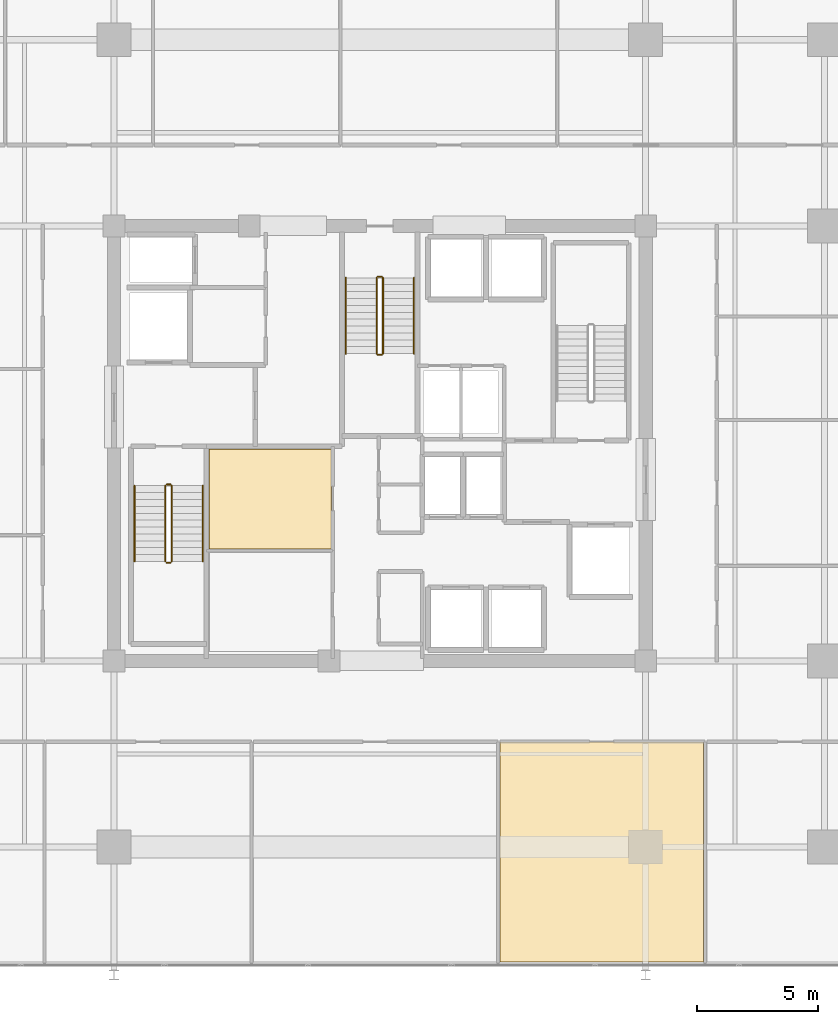
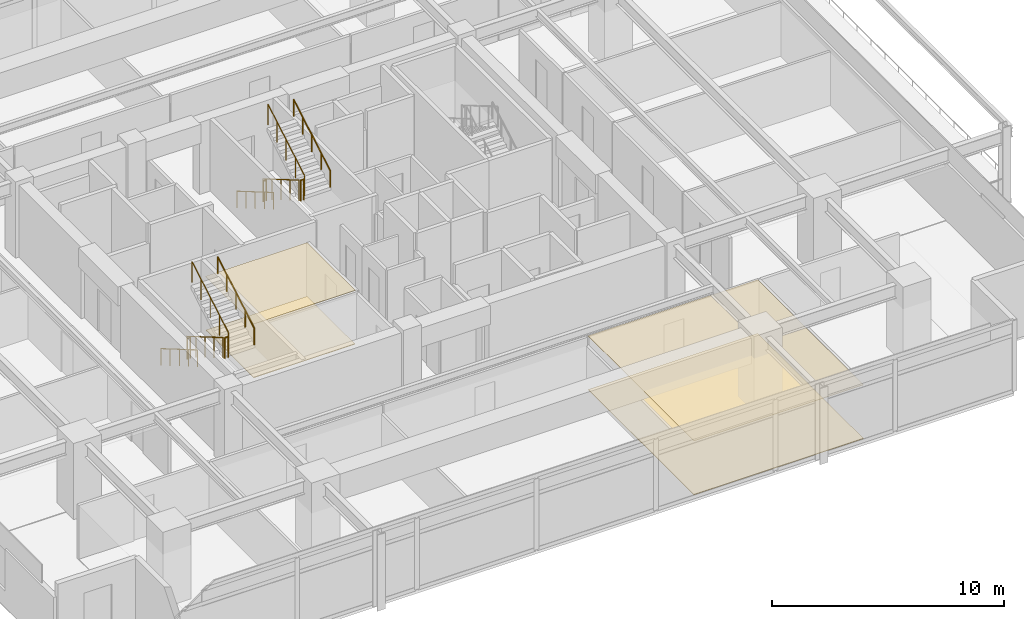
# One storey, part 19 of 21: 12 railings, 4 coverings.
"""IFC4 building model written with IfcOpenShell, lengths in metres."""

from ifc_helpers import new_model, si_unit, direction, frame, origin, origin_2d, place, context, subcontext, project, spatial, polyline, circle, outline, extrude, material, layer, layer_set, type_object, element, save


model = new_model("IFC4")

# Units and contexts
model_context = context("Model", 3, precision=1e-05, world=origin(), true_north=direction((0.0, 1.0)))
body_context = subcontext(model_context, "Body", "Model", "MODEL_VIEW")
ifc_project = project(units=[si_unit("LENGTHUNIT", "METRE"), si_unit("AREAUNIT", "SQUARE_METRE"), si_unit("VOLUMEUNIT", "CUBIC_METRE"), si_unit("PLANEANGLEUNIT", "RADIAN"), si_unit("MASSUNIT", "GRAM", prefix="KILO")], contexts=[model_context])

# Site, building, storey
site_placement = place(None, origin())
site = spatial("IfcSite", under=ifc_project, at=site_placement, CompositionType="ELEMENT")
building_placement = place(site_placement, origin())
building = spatial("IfcBuilding", under=site, at=building_placement, Name="Kovane Verandah Tower", CompositionType="ELEMENT")
storey_placement = place(building_placement, frame((0.0, 0.0, 205.199951171875)))
storey = spatial("IfcBuildingStorey", under=building, at=storey_placement, Name="L47", CompositionType="ELEMENT", Elevation=205.199951171875)

# Coverings
ifc_material_1 = material(Name="Perforated Acoustic Mineral-Fibre Ceiling Tile", Category="gypsum")
ifc_layer_1 = layer(ifc_material_1, 0.02490234375)
ifc_layer_set_1 = layer_set([ifc_layer_1], Name="Perforated Acoustic Mineral-Fibre Ceiling Tile")
covering_type_1 = type_object("IfcCoveringType", Name="CV-CEIL-25", PredefinedType="CEILING", material=ifc_layer_set_1)
covering_1_placement = place(storey_placement, frame((0.0, 0.0, 2.824951171875)))
element("IfcCovering", 1, at=covering_1_placement, inside=storey, type_object=covering_type_1, Name="L47 Telecom MDF Room Acoustic Ceiling", PredefinedType="CEILING", context=body_context, shape_type="SweptSolid", body=[
    extrude(outline(polyline([(32.93505859375, 23.125), (37.9951171875, 23.125), (37.9951171875, 27.264892578125), (32.93505859375, 27.264892578125), (32.93505859375, 23.125)])), origin(), (0.0, 0.0, 1.0), 0.025146484375),
])
covering_2_placement = place(storey_placement, frame((0.0, 0.0, 2.824951171875)))
element("IfcCovering", 2, at=covering_2_placement, inside=storey, type_object=covering_type_1, Name="L47 Collaboration Hub S4 Acoustic Ceiling", PredefinedType="CEILING", context=body_context, shape_type="SweptSolid", body=[
    extrude(outline(polyline([(44.966064453125, 6.050048828125), (53.39404296875, 6.050048828125), (53.39404296875, 15.14990234375), (44.966064453125, 15.14990234375), (44.966064453125, 6.050048828125)])), origin(), (0.0, 0.0, 1.0), 0.025146484375),
])
ifc_material_2 = material(Name="Polished Terrazzo and Raised-Access Carpet Tile Finish", Category="concrete")
ifc_layer_2 = layer(ifc_material_2, 0.030029296875)
ifc_layer_set_2 = layer_set([ifc_layer_2], Name="Polished Terrazzo and Raised-Access Carpet Tile Finish")
covering_type_2 = type_object("IfcCoveringType", Name="CV-FLOR-30", PredefinedType="FLOORING", material=ifc_layer_set_2)
covering_3_placement = place(storey_placement, origin())
element("IfcCovering", 3, at=covering_3_placement, inside=storey, type_object=covering_type_2, Name="L47 Telecom MDF Room Floor Finish", PredefinedType="FLOORING", context=body_context, shape_type="SweptSolid", body=[
    extrude(outline(polyline([(32.949951171875, 23.139892578125), (37.97998046875, 23.139892578125), (37.97998046875, 27.25), (32.949951171875, 27.25), (32.949951171875, 23.139892578125)])), origin(), (0.0, 0.0, 1.0), 0.030029296875),
])
covering_4_placement = place(storey_placement, origin())
element("IfcCovering", 4, at=covering_4_placement, inside=storey, type_object=covering_type_2, Name="L47 Collaboration Hub S4 Floor Finish", PredefinedType="FLOORING", context=body_context, shape_type="SweptSolid", body=[
    extrude(outline(polyline([(44.966064453125, 6.050048828125), (53.39404296875, 6.050048828125), (53.39404296875, 15.14990234375), (44.966064453125, 15.14990234375), (44.966064453125, 6.050048828125)])), origin(), (0.0, 0.0, 1.0), 0.030029296875),
])

# Railings
ifc_material_3 = material(Name="Brushed Stainless Steel Handrail", Category="steel")
railing_type_1 = type_object("IfcRailingType", Name="RL-HAND-920", PredefinedType="HANDRAIL", material=ifc_material_3)
railing_1_placement = place(storey_placement, frame((29.85009765625, 25.75, 0.166748046875)))
element("IfcRailing", 5, at=railing_1_placement, inside=storey, type_object=railing_type_1, Name="L47 ST-01 stair handrail 1", PredefinedType="HANDRAIL", context=body_context, shape_type="SweptSolid", body=[
    extrude(circle(Radius=0.02392578125, at=origin_2d()), frame((0.0, 0.0, 0.8759765625), z_axis=(0.0, -0.863239559939, 0.504794475164), x_axis=(1.0, 0.0, 0.0)), (0.0, 0.0, 1.0), 3.631591796875),
    extrude(circle(Radius=0.02099609375, at=origin_2d()), origin(), (0.0, 0.0, 1.0), 0.851806640625),
    extrude(circle(Radius=0.02099609375, at=origin_2d()), frame((0.0, -0.78369140625, 0.458251953125)), (0.0, 0.0, 1.0), 0.851806640625),
    extrude(circle(Radius=0.02099609375, at=origin_2d()), frame((0.0, -1.5673828125, 0.91650390625)), (0.0, 0.0, 1.0), 0.851806640625),
    extrude(circle(Radius=0.02099609375, at=origin_2d()), frame((0.0, -2.351318359375, 1.375)), (0.0, 0.0, 1.0), 0.851806640625),
    extrude(circle(Radius=0.02099609375, at=origin_2d()), frame((0.0, -3.135009765625, 1.833251953125)), (0.0, 0.0, 1.0), 0.851806640625),
])
railing_2_placement = place(storey_placement, frame((32.669921875, 22.614990234375, 2.166748046875)))
element("IfcRailing", 6, at=railing_2_placement, inside=storey, type_object=railing_type_1, Name="L47 ST-01 stair handrail 2", PredefinedType="HANDRAIL", context=body_context, shape_type="SweptSolid", body=[
    extrude(circle(Radius=0.02392578125, at=origin_2d()), frame((0.0, 0.0, 0.8759765625), z_axis=(0.0, 0.863239559939, 0.504794475164), x_axis=(-1.0, 0.0, 0.0)), (0.0, 0.0, 1.0), 3.631591796875),
    extrude(circle(Radius=0.02099609375, at=origin_2d()), origin(), (0.0, 0.0, 1.0), 0.851806640625),
    extrude(circle(Radius=0.02099609375, at=origin_2d()), frame((0.0, 0.78369140625, 0.458251953125)), (0.0, 0.0, 1.0), 0.851806640625),
    extrude(circle(Radius=0.02099609375, at=origin_2d()), frame((0.0, 1.5673828125, 0.91650390625)), (0.0, 0.0, 1.0), 0.851806640625),
    extrude(circle(Radius=0.02099609375, at=origin_2d()), frame((0.0, 2.351318359375, 1.375)), (0.0, 0.0, 1.0), 0.851806640625),
    extrude(circle(Radius=0.02099609375, at=origin_2d()), frame((0.0, 3.135009765625, 1.833251953125)), (0.0, 0.0, 1.0), 0.851806640625),
])
railing_3_placement = place(storey_placement, frame((38.590087890625, 34.35009765625, 0.166748046875)))
element("IfcRailing", 7, at=railing_3_placement, inside=storey, type_object=railing_type_1, Name="L47 ST-03 stair handrail 1", PredefinedType="HANDRAIL", context=body_context, shape_type="SweptSolid", body=[
    extrude(circle(Radius=0.02392578125, at=origin_2d()), frame((0.0, 0.0, 0.8759765625), z_axis=(0.0, -0.863239559939, 0.504794475164), x_axis=(1.0, 0.0, 0.0)), (0.0, 0.0, 1.0), 3.631591796875),
    extrude(circle(Radius=0.02099609375, at=origin_2d()), origin(), (0.0, 0.0, 1.0), 0.851806640625),
    extrude(circle(Radius=0.02099609375, at=origin_2d()), frame((0.0, -0.78369140625, 0.458251953125)), (0.0, 0.0, 1.0), 0.851806640625),
    extrude(circle(Radius=0.02099609375, at=origin_2d()), frame((0.0, -1.5673828125, 0.91650390625)), (0.0, 0.0, 1.0), 0.851806640625),
    extrude(circle(Radius=0.02099609375, at=origin_2d()), frame((0.0, -2.351318359375, 1.375)), (0.0, 0.0, 1.0), 0.851806640625),
    extrude(circle(Radius=0.02099609375, at=origin_2d()), frame((0.0, -3.135009765625, 1.833251953125)), (0.0, 0.0, 1.0), 0.851806640625),
])
railing_4_placement = place(storey_placement, frame((41.409912109375, 31.215087890625, 2.166748046875)))
element("IfcRailing", 8, at=railing_4_placement, inside=storey, type_object=railing_type_1, Name="L47 ST-03 stair handrail 2", PredefinedType="HANDRAIL", context=body_context, shape_type="SweptSolid", body=[
    extrude(circle(Radius=0.02392578125, at=origin_2d()), frame((0.0, 0.0, 0.8759765625), z_axis=(0.0, 0.863239559939, 0.504794475164), x_axis=(-1.0, 0.0, 0.0)), (0.0, 0.0, 1.0), 3.631591796875),
    extrude(circle(Radius=0.02099609375, at=origin_2d()), origin(), (0.0, 0.0, 1.0), 0.851806640625),
    extrude(circle(Radius=0.02099609375, at=origin_2d()), frame((0.0, 0.78369140625, 0.458251953125)), (0.0, 0.0, 1.0), 0.851806640625),
    extrude(circle(Radius=0.02099609375, at=origin_2d()), frame((0.0, 1.5673828125, 0.91650390625)), (0.0, 0.0, 1.0), 0.851806640625),
    extrude(circle(Radius=0.02099609375, at=origin_2d()), frame((0.0, 2.351318359375, 1.375)), (0.0, 0.0, 1.0), 0.851806640625),
    extrude(circle(Radius=0.02099609375, at=origin_2d()), frame((0.0, 3.135009765625, 1.833251953125)), (0.0, 0.0, 1.0), 0.851806640625),
])
ifc_material_4 = material(Name="Painted Steel Stairwell Guardrail", Category="steel")
railing_type_2 = type_object("IfcRailingType", Name="RL-STGUARD-1120", PredefinedType="GUARDRAIL", material=ifc_material_4)
railing_5_placement = place(storey_placement, frame((31.1298828125, 25.75, 0.166748046875)))
element("IfcRailing", 9, at=railing_5_placement, inside=storey, type_object=railing_type_2, Name="L47 ST-01 stair guard 1", PredefinedType="GUARDRAIL", context=body_context, shape_type="SweptSolid", body=[
    extrude(circle(Radius=0.02392578125, at=origin_2d()), frame((0.0, 0.0, 1.076171875), z_axis=(0.0, -0.863239559939, 0.504794475164), x_axis=(1.0, 0.0, 0.0)), (0.0, 0.0, 1.0), 3.631591796875),
    extrude(circle(Radius=0.02099609375, at=origin_2d()), origin(), (0.0, 0.0, 1.0), 1.052001953125),
    extrude(circle(Radius=0.02099609375, at=origin_2d()), frame((0.0, -0.78369140625, 0.458251953125)), (0.0, 0.0, 1.0), 1.052001953125),
    extrude(circle(Radius=0.02099609375, at=origin_2d()), frame((0.0, -1.5673828125, 0.91650390625)), (0.0, 0.0, 1.0), 1.052001953125),
    extrude(circle(Radius=0.02099609375, at=origin_2d()), frame((0.0, -2.351318359375, 1.375)), (0.0, 0.0, 1.0), 1.052001953125),
    extrude(circle(Radius=0.02099609375, at=origin_2d()), frame((0.0, -3.135009765625, 1.833251953125)), (0.0, 0.0, 1.0), 1.052001953125),
])
railing_6_placement = place(storey_placement, frame((31.179931640625, 22.56494140625, 2.0)))
element("IfcRailing", 10, at=railing_6_placement, inside=storey, type_object=railing_type_2, Name="L47 ST-01 stair guard 2", PredefinedType="GUARDRAIL", context=body_context, shape_type="SweptSolid", body=[
    extrude(circle(Radius=0.02392578125, at=origin_2d()), frame((0.0, 0.0, 1.076171875), z_axis=(1.0, 0.0, 0.0), x_axis=(0.0, 1.0, 0.0)), (0.0, 0.0, 1.0), 0.16015625),
    extrude(circle(Radius=0.02099609375, at=origin_2d()), origin(), (0.0, 0.0, 1.0), 1.052001953125),
    extrude(circle(Radius=0.02099609375, at=origin_2d()), frame((0.16015625, 0.0, 0.0)), (0.0, 0.0, 1.0), 1.052001953125),
])
railing_7_placement = place(storey_placement, frame((31.389892578125, 22.614990234375, 2.166748046875)))
element("IfcRailing", 11, at=railing_7_placement, inside=storey, type_object=railing_type_2, Name="L47 ST-01 stair guard 3", PredefinedType="GUARDRAIL", context=body_context, shape_type="SweptSolid", body=[
    extrude(circle(Radius=0.02392578125, at=origin_2d()), frame((0.0, 0.0, 1.076171875), z_axis=(0.0, 0.863239559939, 0.504794475164), x_axis=(-1.0, 0.0, 0.0)), (0.0, 0.0, 1.0), 3.631591796875),
    extrude(circle(Radius=0.02099609375, at=origin_2d()), origin(), (0.0, 0.0, 1.0), 1.052001953125),
    extrude(circle(Radius=0.02099609375, at=origin_2d()), frame((0.0, 0.78369140625, 0.458251953125)), (0.0, 0.0, 1.0), 1.052001953125),
    extrude(circle(Radius=0.02099609375, at=origin_2d()), frame((0.0, 1.5673828125, 0.91650390625)), (0.0, 0.0, 1.0), 1.052001953125),
    extrude(circle(Radius=0.02099609375, at=origin_2d()), frame((0.0, 2.351318359375, 1.375)), (0.0, 0.0, 1.0), 1.052001953125),
    extrude(circle(Radius=0.02099609375, at=origin_2d()), frame((0.0, 3.135009765625, 1.833251953125)), (0.0, 0.0, 1.0), 1.052001953125),
])
railing_8_placement = place(storey_placement, frame((31.179931640625, 25.800048828125, 0.0)))
element("IfcRailing", 12, at=railing_8_placement, inside=storey, type_object=railing_type_2, Name="L47 ST-01 stair guard 4", PredefinedType="GUARDRAIL", context=body_context, shape_type="SweptSolid", body=[
    extrude(circle(Radius=0.02392578125, at=origin_2d()), frame((0.0, 0.0, 1.076171875), z_axis=(1.0, 0.0, 0.0), x_axis=(0.0, 1.0, 0.0)), (0.0, 0.0, 1.0), 0.16015625),
    extrude(circle(Radius=0.02099609375, at=origin_2d()), origin(), (0.0, 0.0, 1.0), 1.052001953125),
    extrude(circle(Radius=0.02099609375, at=origin_2d()), frame((0.16015625, 0.0, 0.0)), (0.0, 0.0, 1.0), 1.052001953125),
])
railing_9_placement = place(storey_placement, frame((39.8701171875, 34.35009765625, 0.166748046875)))
element("IfcRailing", 13, at=railing_9_placement, inside=storey, type_object=railing_type_2, Name="L47 ST-03 stair guard 1", PredefinedType="GUARDRAIL", context=body_context, shape_type="SweptSolid", body=[
    extrude(circle(Radius=0.02392578125, at=origin_2d()), frame((0.0, 0.0, 1.076171875), z_axis=(0.0, -0.863239559939, 0.504794475164), x_axis=(1.0, 0.0, 0.0)), (0.0, 0.0, 1.0), 3.631591796875),
    extrude(circle(Radius=0.02099609375, at=origin_2d()), origin(), (0.0, 0.0, 1.0), 1.052001953125),
    extrude(circle(Radius=0.02099609375, at=origin_2d()), frame((0.0, -0.78369140625, 0.458251953125)), (0.0, 0.0, 1.0), 1.052001953125),
    extrude(circle(Radius=0.02099609375, at=origin_2d()), frame((0.0, -1.5673828125, 0.91650390625)), (0.0, 0.0, 1.0), 1.052001953125),
    extrude(circle(Radius=0.02099609375, at=origin_2d()), frame((0.0, -2.351318359375, 1.375)), (0.0, 0.0, 1.0), 1.052001953125),
    extrude(circle(Radius=0.02099609375, at=origin_2d()), frame((0.0, -3.135009765625, 1.833251953125)), (0.0, 0.0, 1.0), 1.052001953125),
])
railing_10_placement = place(storey_placement, frame((39.919921875, 31.1650390625, 2.0)))
element("IfcRailing", 14, at=railing_10_placement, inside=storey, type_object=railing_type_2, Name="L47 ST-03 stair guard 2", PredefinedType="GUARDRAIL", context=body_context, shape_type="SweptSolid", body=[
    extrude(circle(Radius=0.02392578125, at=origin_2d()), frame((0.0, 0.0, 1.076171875), z_axis=(1.0, 0.0, 0.0), x_axis=(0.0, 1.0, 0.0)), (0.0, 0.0, 1.0), 0.16015625),
    extrude(circle(Radius=0.02099609375, at=origin_2d()), origin(), (0.0, 0.0, 1.0), 1.052001953125),
    extrude(circle(Radius=0.02099609375, at=origin_2d()), frame((0.16015625, 0.0, 0.0)), (0.0, 0.0, 1.0), 1.052001953125),
])
railing_11_placement = place(storey_placement, frame((40.1298828125, 31.215087890625, 2.166748046875)))
element("IfcRailing", 15, at=railing_11_placement, inside=storey, type_object=railing_type_2, Name="L47 ST-03 stair guard 3", PredefinedType="GUARDRAIL", context=body_context, shape_type="SweptSolid", body=[
    extrude(circle(Radius=0.02392578125, at=origin_2d()), frame((0.0, 0.0, 1.076171875), z_axis=(0.0, 0.863239559939, 0.504794475164), x_axis=(-1.0, 0.0, 0.0)), (0.0, 0.0, 1.0), 3.631591796875),
    extrude(circle(Radius=0.02099609375, at=origin_2d()), origin(), (0.0, 0.0, 1.0), 1.052001953125),
    extrude(circle(Radius=0.02099609375, at=origin_2d()), frame((0.0, 0.78369140625, 0.458251953125)), (0.0, 0.0, 1.0), 1.052001953125),
    extrude(circle(Radius=0.02099609375, at=origin_2d()), frame((0.0, 1.5673828125, 0.91650390625)), (0.0, 0.0, 1.0), 1.052001953125),
    extrude(circle(Radius=0.02099609375, at=origin_2d()), frame((0.0, 2.351318359375, 1.375)), (0.0, 0.0, 1.0), 1.052001953125),
    extrude(circle(Radius=0.02099609375, at=origin_2d()), frame((0.0, 3.135009765625, 1.833251953125)), (0.0, 0.0, 1.0), 1.052001953125),
])
railing_12_placement = place(storey_placement, frame((39.919921875, 34.39990234375, 0.0)))
element("IfcRailing", 16, at=railing_12_placement, inside=storey, type_object=railing_type_2, Name="L47 ST-03 stair guard 4", PredefinedType="GUARDRAIL", context=body_context, shape_type="SweptSolid", body=[
    extrude(circle(Radius=0.02392578125, at=origin_2d()), frame((0.0, 0.0, 1.076171875), z_axis=(1.0, 0.0, 0.0), x_axis=(0.0, 1.0, 0.0)), (0.0, 0.0, 1.0), 0.16015625),
    extrude(circle(Radius=0.02099609375, at=origin_2d()), origin(), (0.0, 0.0, 1.0), 1.052001953125),
    extrude(circle(Radius=0.02099609375, at=origin_2d()), frame((0.16015625, 0.0, 0.0)), (0.0, 0.0, 1.0), 1.052001953125),
])

save(model, "model.ifc")
